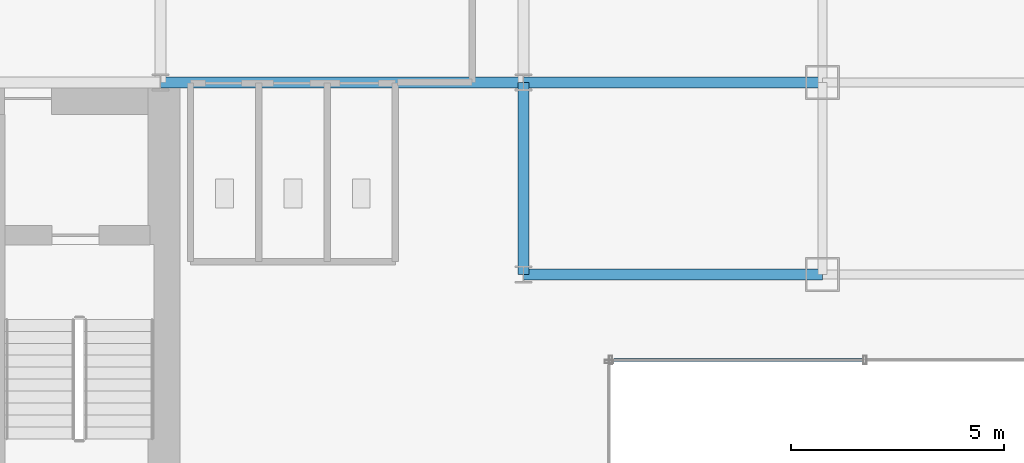
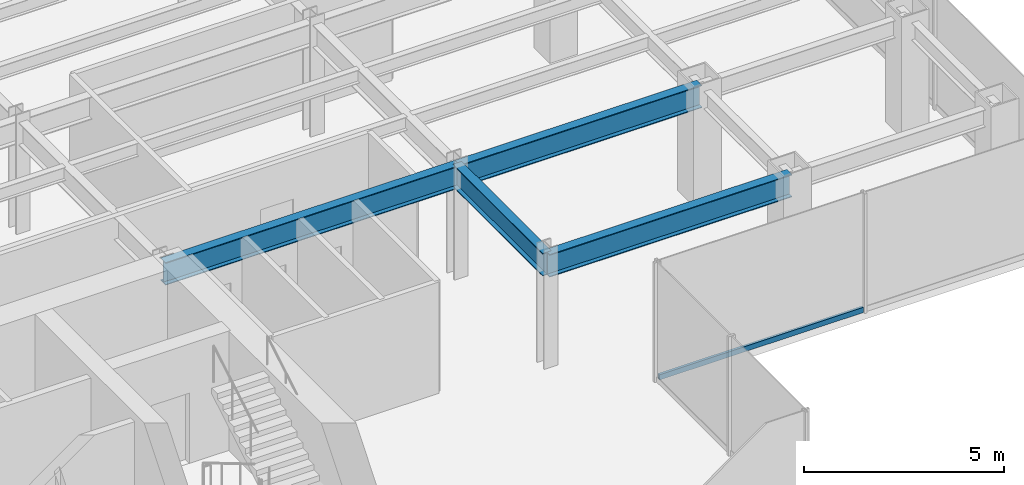
# One storey, part 9 of 26: 4 beams, 1 member, 1 element without a shape of its own.
"""IFC4 building model written with IfcOpenShell, lengths in metres."""

from ifc_helpers import new_model, si_unit, derived_unit, direction, frame, origin, origin_2d, place, context, subcontext, project, spatial, hollow_rectangle, i_section, extrude, source, transform, mapped, material, material_profile, profile_set, type_object, element, aggregate, save


model = new_model("IFC4")

# Units and contexts
model_context = context("Model", 3, precision=1e-05, world=origin(), true_north=direction((0.0, 1.0)))
body_context = subcontext(model_context, "Body", "Model", "MODEL_VIEW")
ifc_project = project(units=[si_unit("LENGTHUNIT", "METRE"), si_unit("AREAUNIT", "SQUARE_METRE"), si_unit("VOLUMEUNIT", "CUBIC_METRE"), si_unit("PLANEANGLEUNIT", "RADIAN"), si_unit("MASSUNIT", "GRAM", prefix="KILO"), derived_unit("THERMALTRANSMITTANCEUNIT", [(si_unit("POWERUNIT", "WATT"), 1), (si_unit("LENGTHUNIT", "METRE"), -2), (si_unit("THERMODYNAMICTEMPERATUREUNIT", "KELVIN"), -1)])], contexts=[model_context])

# Site, building, storey
site_placement = place(None, origin())
site = spatial("IfcSite", under=ifc_project, at=site_placement, CompositionType="ELEMENT")
building_placement = place(site_placement, origin())
building = spatial("IfcBuilding", under=site, at=building_placement, Name="Skarnbrae Concourse Arena and Tower", CompositionType="ELEMENT")
storey_placement = place(building_placement, frame((0.0, 0.0, 114.199951171875)))
storey = spatial("IfcBuildingStorey", under=building, at=storey_placement, Name="L28", CompositionType="ELEMENT", Elevation=114.199951171875)

# Beams
ifc_material_1 = material(Name="Steel CSA G40.21 350W", Category="steel")
ifc_material_profile_1 = material_profile(ifc_material_1, i_section(OverallWidth=0.256103515625, OverallDepth=0.693115234375, WebThickness=0.014404296875, FlangeThickness=0.023681640625, at=origin_2d()), Name="W690X170")
ifc_profile_set_1 = profile_set([ifc_material_profile_1], Name="Steel CSA G40.21 350W")
beam_type = type_object("IfcBeamType", Name="BM-GIRD-W690X170", PredefinedType="BEAM", material=ifc_profile_set_1)
shared_shape_1 = source(origin(), body_context, "Body", "SweptSolid", [
    extrude(i_section(OverallWidth=0.256103515625, OverallDepth=0.693115234375, WebThickness=0.014404296875, FlangeThickness=0.023681640625, at=origin_2d()), origin(), (0.0, 0.0, 1.0), 7.0),
])
for number, where, z_axis, x_axis, name in (
    (1, (42.0, 9.5, 3.053466796875), (1.0, 0.0, 0.0), (0.0, 1.0, 0.0), "L28 Primary E-W girder Y9.5-2"),
    (2, (42.0, 14.0, 3.053466796875), (1.0, 0.0, 0.0), (0.0, 1.0, 0.0), "L28 Primary E-W girder Y14.0-7"),
):
    element("IfcBeam", number, at=place(storey_placement, frame(where, z_axis=z_axis, x_axis=x_axis)), inside=storey, type_object=beam_type, Name=name, PredefinedType="BEAM", context=body_context, shape_type="MappedRepresentation", body=[
        mapped(shared_shape_1, transform((0.0, 0.0, 0.0))),
    ])
shared_shape_2 = source(origin(), body_context, "Body", "SweptSolid", [
    extrude(i_section(OverallWidth=0.256103515625, OverallDepth=0.693115234375, WebThickness=0.014404296875, FlangeThickness=0.023681640625, at=origin_2d()), origin(), (0.0, 0.0, 1.0), 8.5),
])
beam_1_placement = place(storey_placement, frame((33.5, 14.0, 3.053466796875), z_axis=(1.0, 0.0, 0.0), x_axis=(0.0, 1.0, 0.0)))
element("IfcBeam", 3, at=beam_1_placement, inside=storey, type_object=beam_type, Name="L28 Primary E-W girder Y14.0-6", PredefinedType="BEAM", context=body_context, shape_type="MappedRepresentation", body=[
    mapped(shared_shape_2, transform((0.0, 0.0, 0.0))),
])
shared_shape_3 = source(origin(), body_context, "Body", "SweptSolid", [
    extrude(i_section(OverallWidth=0.256103515625, OverallDepth=0.693115234375, WebThickness=0.014404296875, FlangeThickness=0.023681640625, at=origin_2d()), origin(), (0.0, 0.0, 1.0), 4.5),
])
beam_2_placement = place(storey_placement, frame((42.0, 9.5, 3.053466796875), z_axis=(0.0, 1.0, 0.0), x_axis=(-1.0, 0.0, 0.0)))
element("IfcBeam", 4, at=beam_2_placement, inside=storey, type_object=beam_type, Name="L28 Primary N-S girder X42.0-1", PredefinedType="BEAM", context=body_context, shape_type="MappedRepresentation", body=[
    mapped(shared_shape_3, transform((0.0, 0.0, 0.0))),
])

# Curtain wall, member
ifc_material_2 = material(Name="Bronze anodised aluminium 6063-T6", Category="aluminium")
curtain_wall_type = type_object("IfcCurtainWallType", Name="CW-SYS-04-MIDZONE", PredefinedType="USERDEFINED", material=ifc_material_2)
curtain_wall_placement = place(storey_placement, origin())
curtain_wall = element("IfcCurtainWall", 5, at=curtain_wall_placement, inside=storey, type_object=curtain_wall_type, Name="L28 Unitised curtain wall CW-L28-E03", ObjectType="UNITISED CURTAIN WALL", PredefinedType="USERDEFINED")
ifc_material_profile_2 = material_profile(ifc_material_2, hollow_rectangle(XDim=0.074951171875, YDim=0.159912109375, WallThickness=0.00439453125, at=origin_2d()), Name="ALU-TRAN-75X160")
ifc_profile_set_2 = profile_set([ifc_material_profile_2], Name="Bronze anodised aluminium 6063-T6")
member_type = type_object("IfcMemberType", Name="CWT-CW-04", PredefinedType="USERDEFINED", material=ifc_profile_set_2)
shared_shape_4 = source(origin(), body_context, "Body", "SweptSolid", [
    extrude(hollow_rectangle(XDim=0.074951171875, YDim=0.159912109375, WallThickness=0.00439453125, at=origin_2d()), origin(), (0.0, 0.0, 1.0), 5.887451171875),
])
member_placement = place(storey_placement, frame((44.074951171875, 7.5, 0.080078125), z_axis=(1.0, 0.0, 0.0), x_axis=(0.0, 1.0, 0.0)))
member = element("IfcMember", 6, at=member_placement, type_object=member_type, Name="CW-L28-E03 Transom 1", ObjectType="TRANSOM", PredefinedType="USERDEFINED", context=body_context, shape_type="MappedRepresentation", body=[
    mapped(shared_shape_4, transform((0.0, 0.0, 0.0))),
])
aggregate(curtain_wall, [member])

save(model, "model.ifc")
